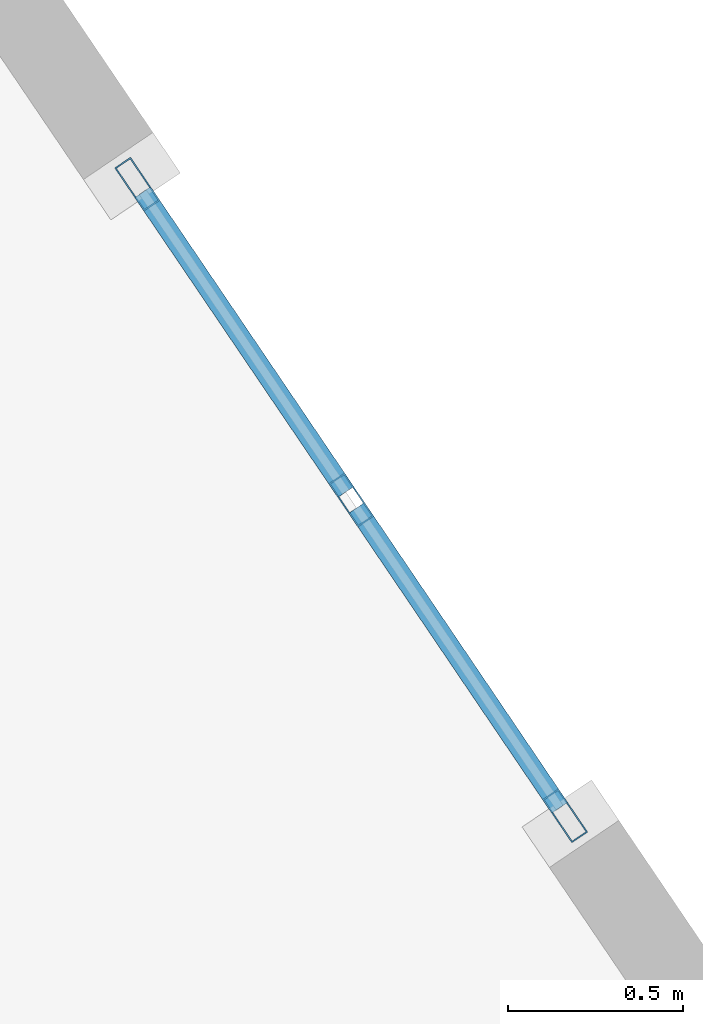
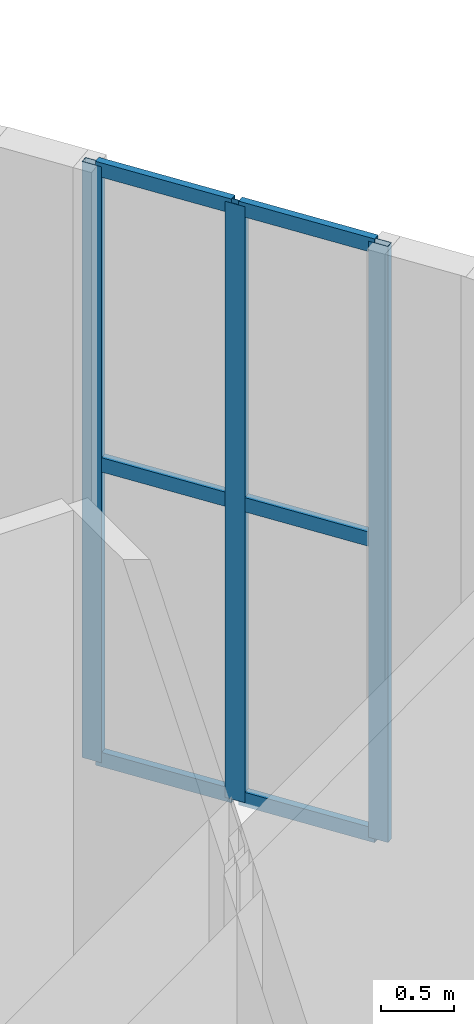
# One storey, part 8 of 12: 9 members, 1 element without a shape of its own.
"""IFC4 building model written with IfcOpenShell, lengths in metres."""

from ifc_helpers import new_model, si_unit, direction, frame, origin, origin_2d, place, context, subcontext, project, spatial, hollow_rectangle, extrude, material, layer, layer_set, material_profile, profile_set, type_object, element, aggregate, save


model = new_model("IFC4")

# Units and contexts
model_context = context("Model", 3, precision=1e-05, world=origin(), true_north=direction((0.0, 1.0)))
body_context = subcontext(model_context, "Body", "Model", "MODEL_VIEW")
ifc_project = project(units=[si_unit("LENGTHUNIT", "METRE"), si_unit("AREAUNIT", "SQUARE_METRE"), si_unit("VOLUMEUNIT", "CUBIC_METRE"), si_unit("PLANEANGLEUNIT", "RADIAN"), si_unit("MASSUNIT", "GRAM", prefix="KILO")], contexts=[model_context])

# Site, building, storey
site_placement = place(None, origin())
site = spatial("IfcSite", under=ifc_project, at=site_placement, CompositionType="ELEMENT")
building_placement = place(site_placement, origin())
building = spatial("IfcBuilding", under=site, at=building_placement, Name="Miruveldt Soraemaru", CompositionType="ELEMENT")
storey_placement = place(building_placement, frame((0.0, 0.0, 312.800048828125)))
storey = spatial("IfcBuildingStorey", under=building, at=storey_placement, Name="L82", CompositionType="ELEMENT", Elevation=312.800048828125)

# Curtain wall, members
ifc_material = material(Name="Anodised aluminium EN AW-6063 T6", Category="aluminium")
ifc_layer = layer(ifc_material, 0.14990234375, Name="Anodised aluminium EN AW-6063 T6", Category="aluminium")
ifc_layer_set = layer_set([ifc_layer], Name="Anodised aluminium EN AW-6063 T6")
curtain_wall_type = type_object("IfcCurtainWallType", Name="CW-SYS-6", PredefinedType="USERDEFINED", material=ifc_layer_set)
curtain_wall_placement = place(storey_placement, origin())
curtain_wall = element("IfcCurtainWall", 1, at=curtain_wall_placement, inside=storey, type_object=curtain_wall_type, Name="L82 Curtain Wall Bay 40", ObjectType="UNITISED GLAZING", PredefinedType="USERDEFINED")
ifc_material_profile_1 = material_profile(ifc_material, hollow_rectangle(XDim=0.054931640625, YDim=0.14990234375, WallThickness=0.00390625, at=origin_2d()), Name="Anodised aluminium EN AW-6063 T6", Category="aluminium")
ifc_profile_set_1 = profile_set([ifc_material_profile_1], Name="Anodised aluminium EN AW-6063 T6")
member_type_1 = type_object("IfcMemberType", Name="CWM-6", PredefinedType="MULLION", material=ifc_profile_set_1)
member_1_placement = place(storey_placement, frame((55.3154296875, 55.242431640625, 0.0), z_axis=(0.0, 0.0, 1.0), x_axis=(-0.827925380385, -0.56083826948, 0.0)))
member_1 = element("IfcMember", 2, at=member_1_placement, type_object=member_type_1, Name="CW-6 mullion 1", PredefinedType="MULLION", context=body_context, shape_type="SweptSolid", body=[
    extrude(hollow_rectangle(XDim=0.054931640625, YDim=0.14990234375, WallThickness=0.00390625, at=origin_2d()), origin(), (0.0, 0.0, 1.0), 4.989990234375),
])
member_2_placement = place(storey_placement, frame((54.703125, 56.146484375, 0.0), z_axis=(0.0, 0.0, 1.0), x_axis=(-0.827925380385, -0.56083826948, 0.0)))
member_2 = element("IfcMember", 3, at=member_2_placement, type_object=member_type_1, Name="CW-6 mullion 2", PredefinedType="MULLION", context=body_context, shape_type="SweptSolid", body=[
    extrude(hollow_rectangle(XDim=0.054931640625, YDim=0.14990234375, WallThickness=0.00390625, at=origin_2d()), origin(), (0.0, 0.0, 1.0), 4.989990234375),
])
member_3_placement = place(storey_placement, frame((54.090576171875, 57.050537109375, 0.0), z_axis=(0.0, 0.0, 1.0), x_axis=(-0.827925380385, -0.56083826948, 0.0)))
member_3 = element("IfcMember", 4, at=member_3_placement, type_object=member_type_1, Name="CW-6 mullion 3", PredefinedType="MULLION", context=body_context, shape_type="SweptSolid", body=[
    extrude(hollow_rectangle(XDim=0.054931640625, YDim=0.14990234375, WallThickness=0.00390625, at=origin_2d()), origin(), (0.0, 0.0, 1.0), 4.989990234375),
])
ifc_material_profile_2 = material_profile(ifc_material, hollow_rectangle(XDim=0.054931640625, YDim=0.1201171875, WallThickness=0.00390625, at=origin_2d()), Name="Anodised aluminium EN AW-6063 T6", Category="aluminium")
ifc_profile_set_2 = profile_set([ifc_material_profile_2], Name="Anodised aluminium EN AW-6063 T6")
member_type_2 = type_object("IfcMemberType", Name="CWT-6", PredefinedType="USERDEFINED", material=ifc_profile_set_2)
member_4_placement = place(storey_placement, frame((55.300048828125, 55.26513671875, 0.02734375), z_axis=(-0.560770061202, 0.827971580708, 0.0), x_axis=(-0.827971580708, -0.560770061202, 0.0)))
member_4 = element("IfcMember", 5, at=member_4_placement, type_object=member_type_2, Name="CW-6 transom 1.1", ObjectType="TRANSOM", PredefinedType="USERDEFINED", context=body_context, shape_type="SweptSolid", body=[
    extrude(hollow_rectangle(XDim=0.054931640625, YDim=0.1201171875, WallThickness=0.00390625, at=origin_2d()), origin(), (0.0, 0.0, 1.0), 1.037109375),
])
member_5_placement = place(storey_placement, frame((55.300048828125, 55.26513671875, 2.494873046875), z_axis=(-0.560770061202, 0.827971580708, 0.0), x_axis=(-0.827971580708, -0.560770061202, 0.0)))
member_5 = element("IfcMember", 6, at=member_5_placement, type_object=member_type_2, Name="CW-6 transom 1.2", ObjectType="TRANSOM", PredefinedType="USERDEFINED", context=body_context, shape_type="SweptSolid", body=[
    extrude(hollow_rectangle(XDim=0.054931640625, YDim=0.1201171875, WallThickness=0.00390625, at=origin_2d()), origin(), (0.0, 0.0, 1.0), 1.037109375),
])
member_6_placement = place(storey_placement, frame((55.300048828125, 55.26513671875, 4.96240234375), z_axis=(-0.560770061202, 0.827971580708, 0.0), x_axis=(-0.827971580708, -0.560770061202, 0.0)))
member_6 = element("IfcMember", 7, at=member_6_placement, type_object=member_type_2, Name="CW-6 transom 1.3", ObjectType="TRANSOM", PredefinedType="USERDEFINED", context=body_context, shape_type="SweptSolid", body=[
    extrude(hollow_rectangle(XDim=0.054931640625, YDim=0.1201171875, WallThickness=0.00390625, at=origin_2d()), origin(), (0.0, 0.0, 1.0), 1.037109375),
])
member_7_placement = place(storey_placement, frame((54.687744140625, 56.16943359375, 0.02734375), z_axis=(-0.561040743066, 0.827788188258, 0.0), x_axis=(-0.827788188258, -0.561040743066, 0.0)))
member_7 = element("IfcMember", 8, at=member_7_placement, type_object=member_type_2, Name="CW-6 transom 2.1", ObjectType="TRANSOM", PredefinedType="USERDEFINED", context=body_context, shape_type="SweptSolid", body=[
    extrude(hollow_rectangle(XDim=0.054931640625, YDim=0.1201171875, WallThickness=0.00390625, at=origin_2d()), origin(), (0.0, 0.0, 1.0), 1.036865234375),
])
member_8_placement = place(storey_placement, frame((54.687744140625, 56.16943359375, 2.494873046875), z_axis=(-0.561040743066, 0.827788188258, 0.0), x_axis=(-0.827788188258, -0.561040743066, 0.0)))
member_8 = element("IfcMember", 9, at=member_8_placement, type_object=member_type_2, Name="CW-6 transom 2.2", ObjectType="TRANSOM", PredefinedType="USERDEFINED", context=body_context, shape_type="SweptSolid", body=[
    extrude(hollow_rectangle(XDim=0.054931640625, YDim=0.1201171875, WallThickness=0.00390625, at=origin_2d()), origin(), (0.0, 0.0, 1.0), 1.036865234375),
])
member_9_placement = place(storey_placement, frame((54.687744140625, 56.16943359375, 4.96240234375), z_axis=(-0.561040743066, 0.827788188258, 0.0), x_axis=(-0.827788188258, -0.561040743066, 0.0)))
member_9 = element("IfcMember", 10, at=member_9_placement, type_object=member_type_2, Name="CW-6 transom 2.3", ObjectType="TRANSOM", PredefinedType="USERDEFINED", context=body_context, shape_type="SweptSolid", body=[
    extrude(hollow_rectangle(XDim=0.054931640625, YDim=0.1201171875, WallThickness=0.00390625, at=origin_2d()), origin(), (0.0, 0.0, 1.0), 1.036865234375),
])
aggregate(curtain_wall, [member_1, member_2, member_3, member_4, member_5, member_6, member_7, member_8, member_9])

save(model, "model.ifc")
